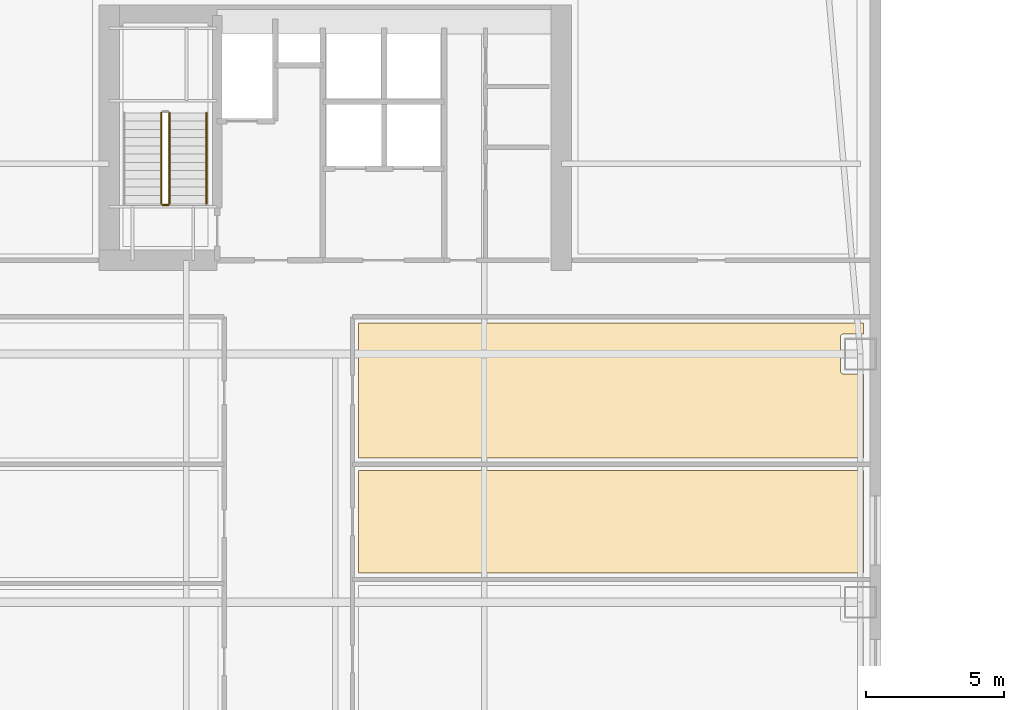
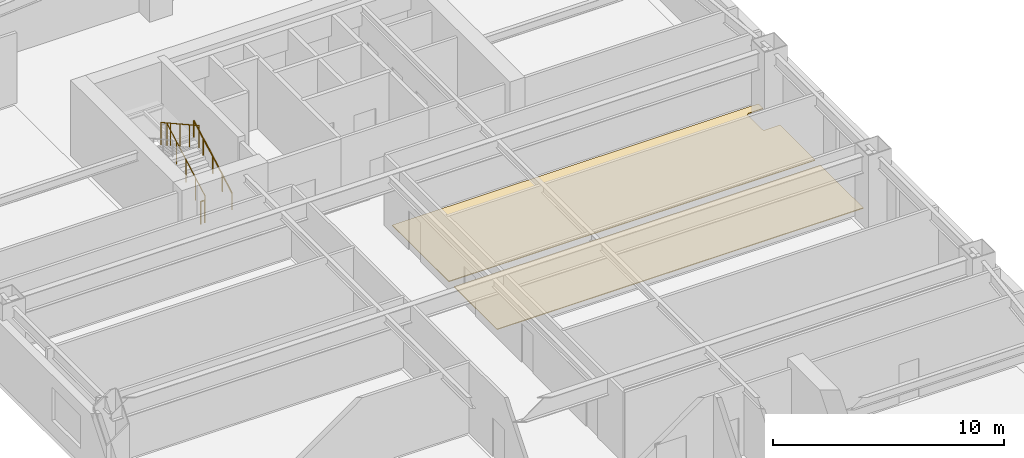
# One storey, part 18 of 24: 4 railings, 2 coverings.
"""IFC4 building model written with IfcOpenShell, lengths in metres."""

from ifc_helpers import new_model, si_unit, direction, frame, origin, origin_2d, place, context, subcontext, project, spatial, polyline, circle, outline, extrude, material, layer, layer_set, type_object, element, save


model = new_model("IFC4")

# Units and contexts
model_context = context("Model", 3, precision=1e-05, world=origin(), true_north=direction((0.0, 1.0)))
body_context = subcontext(model_context, "Body", "Model", "MODEL_VIEW")
ifc_project = project(units=[si_unit("LENGTHUNIT", "METRE"), si_unit("AREAUNIT", "SQUARE_METRE"), si_unit("VOLUMEUNIT", "CUBIC_METRE"), si_unit("PLANEANGLEUNIT", "RADIAN"), si_unit("MASSUNIT", "GRAM", prefix="KILO")], contexts=[model_context])

# Site, building, storey
site_placement = place(None, origin())
site = spatial("IfcSite", under=ifc_project, at=site_placement, CompositionType="ELEMENT")
building_placement = place(site_placement, origin())
building = spatial("IfcBuilding", under=site, at=building_placement, Name="Qiaolan Cultural Towers", CompositionType="ELEMENT")
storey_placement = place(building_placement, frame((0.0, 0.0, 30.0)))
storey = spatial("IfcBuildingStorey", under=building, at=storey_placement, Name="L06", CompositionType="ELEMENT", Elevation=30.0)

# Coverings
ifc_material_1 = material(Name="Honed Terrazzo & Raised Access Flooring", Category="concrete")
ifc_layer = layer(ifc_material_1, 0.0400390625)
ifc_layer_set = layer_set([ifc_layer], Name="Honed Terrazzo & Raised Access Flooring")
covering_type = type_object("IfcCoveringType", Name="COV-FLR-STONE", PredefinedType="FLOORING", material=ifc_layer_set)
covering_1_placement = place(storey_placement, origin())
element("IfcCovering", 1, at=covering_1_placement, inside=storey, type_object=covering_type, Name="L06 Tea Pantry Finish Flooring", PredefinedType="FLOORING", context=body_context, shape_type="SweptSolid", body=[
    extrude(outline(polyline([(49.159912109375, 35.048095703125), (49.159912109375, 38.780029296875), (30.844970703125, 38.780029296875), (30.844970703125, 35.048095703125), (49.159912109375, 35.048095703125)])), origin(), (0.0, 0.0, 1.0), 0.0400390625),
])
covering_2_placement = place(storey_placement, origin())
element("IfcCovering", 2, at=covering_2_placement, inside=storey, type_object=covering_type, Name="L06 Design Office Finish Flooring", PredefinedType="FLOORING", context=body_context, shape_type="SweptSolid", body=[
    extrude(outline(polyline([(49.159912109375, 42.27490234375), (48.445068359375, 42.27490234375), (48.433349609375, 42.275634765625), (48.421630859375, 42.27734375), (48.41015625, 42.2802734375), (48.399169921875, 42.2841796875), (48.388427734375, 42.2890625), (48.37841796875, 42.295166015625), (48.368896484375, 42.30224609375), (48.360107421875, 42.31005859375), (48.352294921875, 42.31884765625), (48.34521484375, 42.328369140625), (48.339111328125, 42.33837890625), (48.334228515625, 42.34912109375), (48.330078125, 42.360107421875), (48.327392578125, 42.37158203125), (48.32568359375, 42.38330078125), (48.324951171875, 42.39501953125), (48.324951171875, 43.60498046875), (48.32568359375, 43.61669921875), (48.327392578125, 43.62841796875), (48.330078125, 43.639892578125), (48.334228515625, 43.65087890625), (48.339111328125, 43.66162109375), (48.34521484375, 43.671630859375), (48.352294921875, 43.68115234375), (48.360107421875, 43.68994140625), (48.368896484375, 43.69775390625), (48.37841796875, 43.704833984375), (48.388427734375, 43.7109375), (48.399169921875, 43.7158203125), (48.41015625, 43.7197265625), (48.421630859375, 43.72265625), (48.433349609375, 43.724365234375), (48.445068359375, 43.72509765625), (49.159912109375, 43.72509765625), (49.159912109375, 44.1298828125), (30.844970703125, 44.1298828125), (30.844970703125, 39.219970703125), (49.159912109375, 39.219970703125), (49.159912109375, 42.27490234375)])), origin(), (0.0, 0.0, 1.0), 0.0400390625),
])

# Railings
ifc_material_2 = material(Name="Galvanized Painted Steel Stair Guardrail", Category="steel")
railing_type_1 = type_object("IfcRailingType", Name="RL-STAIR-GRD", PredefinedType="GUARDRAIL", material=ifc_material_2)
railing_1_placement = place(storey_placement, frame((23.989990234375, 48.449951171875, 0.166748046875)))
element("IfcRailing", 3, at=railing_1_placement, inside=storey, type_object=railing_type_1, Name="L06 ST-W2 stair guard 1", PredefinedType="GUARDRAIL", context=body_context, shape_type="SweptSolid", body=[
    extrude(circle(Radius=0.02392578125, at=origin_2d()), frame((0.0, 0.0, 1.17578125), z_axis=(0.0, 0.874169478083, 0.485620966999), x_axis=(-1.0, 0.0, 0.0)), (0.0, 0.0, 1.0), 3.775146484375),
    extrude(circle(Radius=0.02099609375, at=origin_2d()), origin(), (0.0, 0.0, 1.0), 1.15185546875),
    extrude(circle(Radius=0.02099609375, at=origin_2d()), frame((0.0, 0.824951171875, 0.458251953125)), (0.0, 0.0, 1.0), 1.15185546875),
    extrude(circle(Radius=0.02099609375, at=origin_2d()), frame((0.0, 1.64990234375, 0.91650390625)), (0.0, 0.0, 1.0), 1.15185546875),
    extrude(circle(Radius=0.02099609375, at=origin_2d()), frame((0.0, 2.47509765625, 1.375)), (0.0, 0.0, 1.0), 1.15185546875),
    extrude(circle(Radius=0.02099609375, at=origin_2d()), frame((0.0, 3.300048828125, 1.833251953125)), (0.0, 0.0, 1.0), 1.15185546875),
])
railing_2_placement = place(storey_placement, frame((23.68994140625, 51.75, 2.166748046875)))
element("IfcRailing", 4, at=railing_2_placement, inside=storey, type_object=railing_type_1, Name="L06 ST-W2 stair guard 3", PredefinedType="GUARDRAIL", context=body_context, shape_type="SweptSolid", body=[
    extrude(circle(Radius=0.02392578125, at=origin_2d()), frame((0.0, 0.0, 1.17578125), z_axis=(0.0, -0.874169478083, 0.485620966999), x_axis=(1.0, 0.0, 0.0)), (0.0, 0.0, 1.0), 3.775146484375),
    extrude(circle(Radius=0.02099609375, at=origin_2d()), origin(), (0.0, 0.0, 1.0), 1.15185546875),
    extrude(circle(Radius=0.02099609375, at=origin_2d()), frame((0.0, -0.824951171875, 0.458251953125)), (0.0, 0.0, 1.0), 1.15185546875),
    extrude(circle(Radius=0.02099609375, at=origin_2d()), frame((0.0, -1.64990234375, 0.91650390625)), (0.0, 0.0, 1.0), 1.15185546875),
    extrude(circle(Radius=0.02099609375, at=origin_2d()), frame((0.0, -2.47509765625, 1.375)), (0.0, 0.0, 1.0), 1.15185546875),
    extrude(circle(Radius=0.02099609375, at=origin_2d()), frame((0.0, -3.300048828125, 1.833251953125)), (0.0, 0.0, 1.0), 1.15185546875),
])
railing_3_placement = place(storey_placement, frame((23.93994140625, 48.39990234375, 0.0)))
element("IfcRailing", 5, at=railing_3_placement, inside=storey, type_object=railing_type_1, Name="L06 ST-W2 stair guard 4", PredefinedType="GUARDRAIL", context=body_context, shape_type="SweptSolid", body=[
    extrude(circle(Radius=0.02392578125, at=origin_2d()), frame((0.0, 0.0, 1.17578125), z_axis=(-1.0, 0.0, 0.0), x_axis=(0.0, -1.0, 0.0)), (0.0, 0.0, 1.0), 0.199951171875),
    extrude(circle(Radius=0.02099609375, at=origin_2d()), origin(), (0.0, 0.0, 1.0), 1.15185546875),
    extrude(circle(Radius=0.02099609375, at=origin_2d()), frame((-0.199951171875, 0.0, 0.0)), (0.0, 0.0, 1.0), 1.15185546875),
])
ifc_material_3 = material(Name="Stainless Steel S30408 Tubular Handrail", Category="steel")
railing_type_2 = type_object("IfcRailingType", Name="RL-STAIR-HR", PredefinedType="HANDRAIL", material=ifc_material_3)
railing_4_placement = place(storey_placement, frame((25.330078125, 48.449951171875, 0.166748046875)))
element("IfcRailing", 6, at=railing_4_placement, inside=storey, type_object=railing_type_2, Name="L06 ST-W2 stair handrail 1", PredefinedType="HANDRAIL", context=body_context, shape_type="SweptSolid", body=[
    extrude(circle(Radius=0.02392578125, at=origin_2d()), frame((0.0, 0.0, 0.8759765625), z_axis=(0.0, 0.874169478083, 0.485620966999), x_axis=(-1.0, 0.0, 0.0)), (0.0, 0.0, 1.0), 3.775146484375),
    extrude(circle(Radius=0.02099609375, at=origin_2d()), origin(), (0.0, 0.0, 1.0), 0.851806640625),
    extrude(circle(Radius=0.02099609375, at=origin_2d()), frame((0.0, 0.824951171875, 0.458251953125)), (0.0, 0.0, 1.0), 0.851806640625),
    extrude(circle(Radius=0.02099609375, at=origin_2d()), frame((0.0, 1.64990234375, 0.91650390625)), (0.0, 0.0, 1.0), 0.851806640625),
    extrude(circle(Radius=0.02099609375, at=origin_2d()), frame((0.0, 2.47509765625, 1.375)), (0.0, 0.0, 1.0), 0.851806640625),
    extrude(circle(Radius=0.02099609375, at=origin_2d()), frame((0.0, 3.300048828125, 1.833251953125)), (0.0, 0.0, 1.0), 0.851806640625),
])

save(model, "model.ifc")
